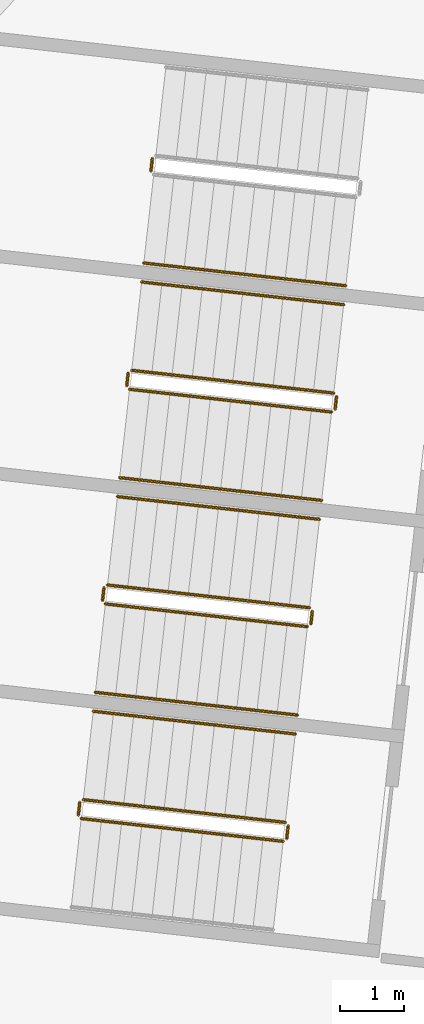
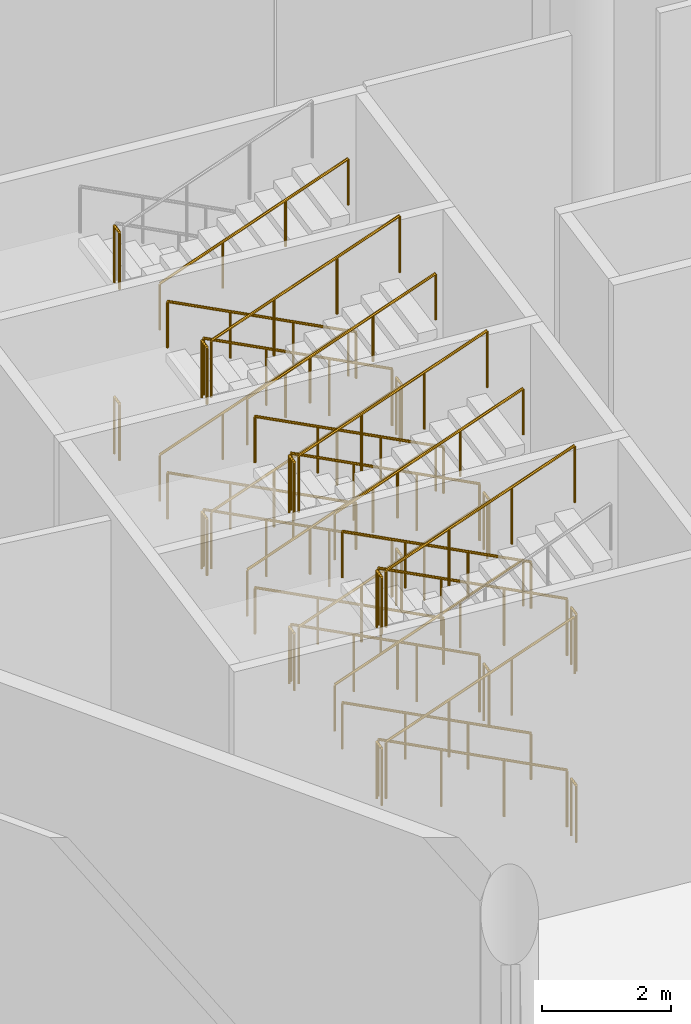
# One storey, part 226 of 255: 38 railings.
"""IFC4 building model written with IfcOpenShell, lengths in metres."""

from ifc_helpers import new_model, si_unit, direction, frame, origin, origin_2d, place, context, subcontext, project, spatial, circle, extrude, material, type_object, element, save


model = new_model("IFC4")

# Units and contexts
model_context = context("Model", 3, precision=1e-05, world=origin(), true_north=direction((0.0, 1.0)))
body_context = subcontext(model_context, "Body", "Model", "MODEL_VIEW")
ifc_project = project(units=[si_unit("LENGTHUNIT", "METRE"), si_unit("AREAUNIT", "SQUARE_METRE"), si_unit("VOLUMEUNIT", "CUBIC_METRE"), si_unit("PLANEANGLEUNIT", "RADIAN"), si_unit("MASSUNIT", "GRAM", prefix="KILO")], contexts=[model_context])

# Site, building, storey
site_placement = place(None, origin())
site = spatial("IfcSite", under=ifc_project, at=site_placement, CompositionType="ELEMENT")
building_placement = place(site_placement, origin())
building = spatial("IfcBuilding", under=site, at=building_placement, Name="Meseta Stadium", CompositionType="ELEMENT")
storey_placement = place(building_placement, origin())
storey = spatial("IfcBuildingStorey", under=building, at=storey_placement, Name="L00", CompositionType="ELEMENT", Elevation=0.0)

# Railings
ifc_material_1 = material(Name="Steel S355", Category="steel")
railing_type_1 = type_object("IfcRailingType", Name="Stair guard 1100", PredefinedType="GUARDRAIL", material=ifc_material_1)
for number, where, name in (
    (1, (-92.072509765625, 60.424072265625, 1.625), "ST57 L00 guard 2"),
    (2, (-92.072509765625, 60.424072265625, 4.875), "ST57 L00 guard 6"),
):
    element("IfcRailing", number, at=place(storey_placement, frame(where)), inside=storey, type_object=railing_type_1, Name=name, PredefinedType="GUARDRAIL", context=body_context, shape_type="SweptSolid", body=[
        extrude(circle(Radius=0.02392578125, at=origin_2d()), frame((0.0, 0.0, 1.076171875), z_axis=(-0.112307083986, -0.993673547442, 0.0), x_axis=(0.993673547442, -0.112307083986, 0.0)), (0.0, 0.0, 1.0), 0.199951171875),
        extrude(circle(Radius=0.02099609375, at=origin_2d()), origin(), (0.0, 0.0, 1.0), 1.052001953125),
        extrude(circle(Radius=0.02099609375, at=origin_2d()), frame((-0.0224609375, -0.19873046875, 0.0)), (0.0, 0.0, 1.0), 1.052001953125),
    ])
railing_1_placement = place(storey_placement, frame((-89.218017578125, 56.731201171875, 0.147705078125)))
element("IfcRailing", 3, at=railing_1_placement, inside=storey, type_object=railing_type_1, Name="ST58 L00 guard 1", PredefinedType="GUARDRAIL", context=body_context, shape_type="SweptSolid", body=[
    extrude(circle(Radius=0.02392578125, at=origin_2d()), frame((0.0, 0.0, 1.076171875), z_axis=(-0.902210289302, 0.10168481418, 0.419138154362), x_axis=(-0.111997244021, -0.993708517288, 0.0)), (0.0, 0.0, 1.0), 3.524658203125),
    extrude(circle(Radius=0.02099609375, at=origin_2d()), origin(), (0.0, 0.0, 1.0), 1.052001953125),
    extrude(circle(Radius=0.02099609375, at=origin_2d()), frame((-1.06005859375, 0.119384765625, 0.492431640625)), (0.0, 0.0, 1.0), 1.052001953125),
    extrude(circle(Radius=0.02099609375, at=origin_2d()), frame((-2.119873046875, 0.239013671875, 0.98486328125)), (0.0, 0.0, 1.0), 1.052001953125),
    extrude(circle(Radius=0.02099609375, at=origin_2d()), frame((-3.179931640625, 0.3583984375, 1.477294921875)), (0.0, 0.0, 1.0), 1.052001953125),
])
railing_2_placement = place(storey_placement, frame((-92.453369140625, 57.04541015625, 1.625)))
element("IfcRailing", 4, at=railing_2_placement, inside=storey, type_object=railing_type_1, Name="ST58 L00 guard 2", PredefinedType="GUARDRAIL", context=body_context, shape_type="SweptSolid", body=[
    extrude(circle(Radius=0.02392578125, at=origin_2d()), frame((0.0, 0.0, 1.076171875), z_axis=(-0.111101504696, -0.993809063983, 0.0), x_axis=(0.993809063983, -0.111101504696, 0.0)), (0.0, 0.0, 1.0), 0.199951171875),
    extrude(circle(Radius=0.02099609375, at=origin_2d()), origin(), (0.0, 0.0, 1.0), 1.052001953125),
    extrude(circle(Radius=0.02099609375, at=origin_2d()), frame((-0.022216796875, -0.19873046875, 0.0)), (0.0, 0.0, 1.0), 1.052001953125),
])
railing_3_placement = place(storey_placement, frame((-92.431640625, 56.79150390625, 1.772705078125)))
element("IfcRailing", 5, at=railing_3_placement, inside=storey, type_object=railing_type_1, Name="ST58 L00 guard 3", PredefinedType="GUARDRAIL", context=body_context, shape_type="SweptSolid", body=[
    extrude(circle(Radius=0.02392578125, at=origin_2d()), frame((0.0, 0.0, 1.076171875), z_axis=(0.902210289302, -0.10168481418, 0.419138154362), x_axis=(0.111997244021, 0.993708517288, 0.0)), (0.0, 0.0, 1.0), 3.524658203125),
    extrude(circle(Radius=0.02099609375, at=origin_2d()), origin(), (0.0, 0.0, 1.0), 1.052001953125),
    extrude(circle(Radius=0.02099609375, at=origin_2d()), frame((1.06005859375, -0.119384765625, 0.492431640625)), (0.0, 0.0, 1.0), 1.052001953125),
    extrude(circle(Radius=0.02099609375, at=origin_2d()), frame((2.119873046875, -0.239013671875, 0.98486328125)), (0.0, 0.0, 1.0), 1.052001953125),
    extrude(circle(Radius=0.02099609375, at=origin_2d()), frame((3.179931640625, -0.3583984375, 1.477294921875)), (0.0, 0.0, 1.0), 1.052001953125),
])
railing_4_placement = place(storey_placement, frame((-89.174072265625, 56.676025390625, 3.25)))
element("IfcRailing", 6, at=railing_4_placement, inside=storey, type_object=railing_type_1, Name="ST58 L00 guard 4", PredefinedType="GUARDRAIL", context=body_context, shape_type="SweptSolid", body=[
    extrude(circle(Radius=0.02392578125, at=origin_2d()), frame((0.0, 0.0, 1.076171875), z_axis=(-0.111101504696, -0.993809063983, 0.0), x_axis=(0.993809063983, -0.111101504696, 0.0)), (0.0, 0.0, 1.0), 0.199951171875),
    extrude(circle(Radius=0.02099609375, at=origin_2d()), origin(), (0.0, 0.0, 1.0), 1.052001953125),
    extrude(circle(Radius=0.02099609375, at=origin_2d()), frame((-0.022216796875, -0.19873046875, 0.0)), (0.0, 0.0, 1.0), 1.052001953125),
])
railing_5_placement = place(storey_placement, frame((-89.218017578125, 56.731201171875, 3.397705078125)))
element("IfcRailing", 7, at=railing_5_placement, inside=storey, type_object=railing_type_1, Name="ST58 L00 guard 5", PredefinedType="GUARDRAIL", context=body_context, shape_type="SweptSolid", body=[
    extrude(circle(Radius=0.02392578125, at=origin_2d()), frame((0.0, 0.0, 1.076171875), z_axis=(-0.902210289302, 0.10168481418, 0.419138154362), x_axis=(-0.111997244021, -0.993708517288, 0.0)), (0.0, 0.0, 1.0), 3.524658203125),
    extrude(circle(Radius=0.02099609375, at=origin_2d()), origin(), (0.0, 0.0, 1.0), 1.052001953125),
    extrude(circle(Radius=0.02099609375, at=origin_2d()), frame((-1.06005859375, 0.119384765625, 0.492431640625)), (0.0, 0.0, 1.0), 1.052001953125),
    extrude(circle(Radius=0.02099609375, at=origin_2d()), frame((-2.119873046875, 0.239013671875, 0.98486328125)), (0.0, 0.0, 1.0), 1.052001953125),
    extrude(circle(Radius=0.02099609375, at=origin_2d()), frame((-3.179931640625, 0.3583984375, 1.477294921875)), (0.0, 0.0, 1.0), 1.052001953125),
])
railing_6_placement = place(storey_placement, frame((-92.453369140625, 57.04541015625, 4.875)))
element("IfcRailing", 8, at=railing_6_placement, inside=storey, type_object=railing_type_1, Name="ST58 L00 guard 6", PredefinedType="GUARDRAIL", context=body_context, shape_type="SweptSolid", body=[
    extrude(circle(Radius=0.02392578125, at=origin_2d()), frame((0.0, 0.0, 1.076171875), z_axis=(-0.111101504696, -0.993809063983, 0.0), x_axis=(0.993809063983, -0.111101504696, 0.0)), (0.0, 0.0, 1.0), 0.199951171875),
    extrude(circle(Radius=0.02099609375, at=origin_2d()), origin(), (0.0, 0.0, 1.0), 1.052001953125),
    extrude(circle(Radius=0.02099609375, at=origin_2d()), frame((-0.022216796875, -0.19873046875, 0.0)), (0.0, 0.0, 1.0), 1.052001953125),
])
railing_7_placement = place(storey_placement, frame((-92.431640625, 56.79150390625, 5.022705078125)))
element("IfcRailing", 9, at=railing_7_placement, inside=storey, type_object=railing_type_1, Name="ST58 L00 guard 7", PredefinedType="GUARDRAIL", context=body_context, shape_type="SweptSolid", body=[
    extrude(circle(Radius=0.02392578125, at=origin_2d()), frame((0.0, 0.0, 1.076171875), z_axis=(0.902210289302, -0.10168481418, 0.419138154362), x_axis=(0.111997244021, 0.993708517288, 0.0)), (0.0, 0.0, 1.0), 3.524658203125),
    extrude(circle(Radius=0.02099609375, at=origin_2d()), origin(), (0.0, 0.0, 1.0), 1.052001953125),
    extrude(circle(Radius=0.02099609375, at=origin_2d()), frame((1.06005859375, -0.119384765625, 0.492431640625)), (0.0, 0.0, 1.0), 1.052001953125),
    extrude(circle(Radius=0.02099609375, at=origin_2d()), frame((2.119873046875, -0.239013671875, 0.98486328125)), (0.0, 0.0, 1.0), 1.052001953125),
    extrude(circle(Radius=0.02099609375, at=origin_2d()), frame((3.179931640625, -0.3583984375, 1.477294921875)), (0.0, 0.0, 1.0), 1.052001953125),
])
railing_8_placement = place(storey_placement, frame((-89.174072265625, 56.676025390625, 0.0)))
element("IfcRailing", 10, at=railing_8_placement, inside=storey, type_object=railing_type_1, Name="ST58 L00 guard 8", PredefinedType="GUARDRAIL", context=body_context, shape_type="SweptSolid", body=[
    extrude(circle(Radius=0.02392578125, at=origin_2d()), frame((0.0, 0.0, 1.076171875), z_axis=(-0.111101504696, -0.993809063983, 0.0), x_axis=(0.993809063983, -0.111101504696, 0.0)), (0.0, 0.0, 1.0), 0.199951171875),
    extrude(circle(Radius=0.02099609375, at=origin_2d()), origin(), (0.0, 0.0, 1.0), 1.052001953125),
    extrude(circle(Radius=0.02099609375, at=origin_2d()), frame((-0.022216796875, -0.19873046875, 0.0)), (0.0, 0.0, 1.0), 1.052001953125),
])
railing_9_placement = place(storey_placement, frame((-89.598876953125, 53.3525390625, 0.147705078125)))
element("IfcRailing", 11, at=railing_9_placement, inside=storey, type_object=railing_type_1, Name="ST59 L00 guard 1", PredefinedType="GUARDRAIL", context=body_context, shape_type="SweptSolid", body=[
    extrude(circle(Radius=0.02392578125, at=origin_2d()), frame((0.0, 0.0, 1.076171875), z_axis=(-0.902197403174, 0.101691169215, 0.419164349402), x_axis=(-0.112005735442, -0.993707560215, 0.0)), (0.0, 0.0, 1.0), 3.5244140625),
    extrude(circle(Radius=0.02099609375, at=origin_2d()), origin(), (0.0, 0.0, 1.0), 1.052001953125),
    extrude(circle(Radius=0.02099609375, at=origin_2d()), frame((-1.059814453125, 0.119384765625, 0.492431640625)), (0.0, 0.0, 1.0), 1.052001953125),
    extrude(circle(Radius=0.02099609375, at=origin_2d()), frame((-2.119873046875, 0.239013671875, 0.98486328125)), (0.0, 0.0, 1.0), 1.052001953125),
    extrude(circle(Radius=0.02099609375, at=origin_2d()), frame((-3.1796875, 0.3583984375, 1.477294921875)), (0.0, 0.0, 1.0), 1.052001953125),
])
railing_10_placement = place(storey_placement, frame((-92.833984375, 53.666748046875, 1.625)))
element("IfcRailing", 12, at=railing_10_placement, inside=storey, type_object=railing_type_1, Name="ST59 L00 guard 2", PredefinedType="GUARDRAIL", context=body_context, shape_type="SweptSolid", body=[
    extrude(circle(Radius=0.02392578125, at=origin_2d()), frame((0.0, 0.0, 1.076171875), z_axis=(-0.112307083986, -0.993673547442, 0.0), x_axis=(0.993673547442, -0.112307083986, 0.0)), (0.0, 0.0, 1.0), 0.199951171875),
    extrude(circle(Radius=0.02099609375, at=origin_2d()), origin(), (0.0, 0.0, 1.0), 1.052001953125),
    extrude(circle(Radius=0.02099609375, at=origin_2d()), frame((-0.0224609375, -0.19873046875, 0.0)), (0.0, 0.0, 1.0), 1.052001953125),
])
railing_11_placement = place(storey_placement, frame((-92.812255859375, 53.412841796875, 1.772705078125)))
element("IfcRailing", 13, at=railing_11_placement, inside=storey, type_object=railing_type_1, Name="ST59 L00 guard 3", PredefinedType="GUARDRAIL", context=body_context, shape_type="SweptSolid", body=[
    extrude(circle(Radius=0.02392578125, at=origin_2d()), frame((0.0, 0.0, 1.076171875), z_axis=(0.902210289302, -0.10168481418, 0.419138154362), x_axis=(0.111997244021, 0.993708517288, 0.0)), (0.0, 0.0, 1.0), 3.524658203125),
    extrude(circle(Radius=0.02099609375, at=origin_2d()), origin(), (0.0, 0.0, 1.0), 1.052001953125),
    extrude(circle(Radius=0.02099609375, at=origin_2d()), frame((1.06005859375, -0.119384765625, 0.492431640625)), (0.0, 0.0, 1.0), 1.052001953125),
    extrude(circle(Radius=0.02099609375, at=origin_2d()), frame((2.119873046875, -0.239013671875, 0.98486328125)), (0.0, 0.0, 1.0), 1.052001953125),
    extrude(circle(Radius=0.02099609375, at=origin_2d()), frame((3.179931640625, -0.3583984375, 1.477294921875)), (0.0, 0.0, 1.0), 1.052001953125),
])
railing_12_placement = place(storey_placement, frame((-89.5546875, 53.29736328125, 3.25)))
element("IfcRailing", 14, at=railing_12_placement, inside=storey, type_object=railing_type_1, Name="ST59 L00 guard 4", PredefinedType="GUARDRAIL", context=body_context, shape_type="SweptSolid", body=[
    extrude(circle(Radius=0.02392578125, at=origin_2d()), frame((0.0, 0.0, 1.076171875), z_axis=(-0.112307083986, -0.993673547442, 0.0), x_axis=(0.993673547442, -0.112307083986, 0.0)), (0.0, 0.0, 1.0), 0.199951171875),
    extrude(circle(Radius=0.02099609375, at=origin_2d()), origin(), (0.0, 0.0, 1.0), 1.052001953125),
    extrude(circle(Radius=0.02099609375, at=origin_2d()), frame((-0.0224609375, -0.19873046875, 0.0)), (0.0, 0.0, 1.0), 1.052001953125),
])
railing_13_placement = place(storey_placement, frame((-89.598876953125, 53.3525390625, 3.397705078125)))
element("IfcRailing", 15, at=railing_13_placement, inside=storey, type_object=railing_type_1, Name="ST59 L00 guard 5", PredefinedType="GUARDRAIL", context=body_context, shape_type="SweptSolid", body=[
    extrude(circle(Radius=0.02392578125, at=origin_2d()), frame((0.0, 0.0, 1.076171875), z_axis=(-0.902197403174, 0.101691169215, 0.419164349402), x_axis=(-0.112005735442, -0.993707560215, 0.0)), (0.0, 0.0, 1.0), 3.5244140625),
    extrude(circle(Radius=0.02099609375, at=origin_2d()), origin(), (0.0, 0.0, 1.0), 1.052001953125),
    extrude(circle(Radius=0.02099609375, at=origin_2d()), frame((-1.059814453125, 0.119384765625, 0.492431640625)), (0.0, 0.0, 1.0), 1.052001953125),
    extrude(circle(Radius=0.02099609375, at=origin_2d()), frame((-2.119873046875, 0.239013671875, 0.98486328125)), (0.0, 0.0, 1.0), 1.052001953125),
    extrude(circle(Radius=0.02099609375, at=origin_2d()), frame((-3.1796875, 0.3583984375, 1.477294921875)), (0.0, 0.0, 1.0), 1.052001953125),
])
railing_14_placement = place(storey_placement, frame((-92.833984375, 53.666748046875, 4.875)))
element("IfcRailing", 16, at=railing_14_placement, inside=storey, type_object=railing_type_1, Name="ST59 L00 guard 6", PredefinedType="GUARDRAIL", context=body_context, shape_type="SweptSolid", body=[
    extrude(circle(Radius=0.02392578125, at=origin_2d()), frame((0.0, 0.0, 1.076171875), z_axis=(-0.112307083986, -0.993673547442, 0.0), x_axis=(0.993673547442, -0.112307083986, 0.0)), (0.0, 0.0, 1.0), 0.199951171875),
    extrude(circle(Radius=0.02099609375, at=origin_2d()), origin(), (0.0, 0.0, 1.0), 1.052001953125),
    extrude(circle(Radius=0.02099609375, at=origin_2d()), frame((-0.0224609375, -0.19873046875, 0.0)), (0.0, 0.0, 1.0), 1.052001953125),
])
railing_15_placement = place(storey_placement, frame((-92.812255859375, 53.412841796875, 5.022705078125)))
element("IfcRailing", 17, at=railing_15_placement, inside=storey, type_object=railing_type_1, Name="ST59 L00 guard 7", PredefinedType="GUARDRAIL", context=body_context, shape_type="SweptSolid", body=[
    extrude(circle(Radius=0.02392578125, at=origin_2d()), frame((0.0, 0.0, 1.076171875), z_axis=(0.902210289302, -0.10168481418, 0.419138154362), x_axis=(0.111997244021, 0.993708517288, 0.0)), (0.0, 0.0, 1.0), 3.524658203125),
    extrude(circle(Radius=0.02099609375, at=origin_2d()), origin(), (0.0, 0.0, 1.0), 1.052001953125),
    extrude(circle(Radius=0.02099609375, at=origin_2d()), frame((1.06005859375, -0.119384765625, 0.492431640625)), (0.0, 0.0, 1.0), 1.052001953125),
    extrude(circle(Radius=0.02099609375, at=origin_2d()), frame((2.119873046875, -0.239013671875, 0.98486328125)), (0.0, 0.0, 1.0), 1.052001953125),
    extrude(circle(Radius=0.02099609375, at=origin_2d()), frame((3.179931640625, -0.3583984375, 1.477294921875)), (0.0, 0.0, 1.0), 1.052001953125),
])
railing_16_placement = place(storey_placement, frame((-89.5546875, 53.29736328125, 0.0)))
element("IfcRailing", 18, at=railing_16_placement, inside=storey, type_object=railing_type_1, Name="ST59 L00 guard 8", PredefinedType="GUARDRAIL", context=body_context, shape_type="SweptSolid", body=[
    extrude(circle(Radius=0.02392578125, at=origin_2d()), frame((0.0, 0.0, 1.076171875), z_axis=(-0.112307083986, -0.993673547442, 0.0), x_axis=(0.993673547442, -0.112307083986, 0.0)), (0.0, 0.0, 1.0), 0.199951171875),
    extrude(circle(Radius=0.02099609375, at=origin_2d()), origin(), (0.0, 0.0, 1.0), 1.052001953125),
    extrude(circle(Radius=0.02099609375, at=origin_2d()), frame((-0.0224609375, -0.19873046875, 0.0)), (0.0, 0.0, 1.0), 1.052001953125),
])
railing_17_placement = place(storey_placement, frame((-89.9794921875, 49.973876953125, 0.147705078125)))
element("IfcRailing", 19, at=railing_17_placement, inside=storey, type_object=railing_type_1, Name="ST60 L00 guard 1", PredefinedType="GUARDRAIL", context=body_context, shape_type="SweptSolid", body=[
    extrude(circle(Radius=0.02392578125, at=origin_2d()), frame((0.0, 0.0, 1.076171875), z_axis=(-0.902210289302, 0.10168481418, 0.419138154362), x_axis=(-0.111997244021, -0.993708517288, 0.0)), (0.0, 0.0, 1.0), 3.524658203125),
    extrude(circle(Radius=0.02099609375, at=origin_2d()), origin(), (0.0, 0.0, 1.0), 1.052001953125),
    extrude(circle(Radius=0.02099609375, at=origin_2d()), frame((-1.06005859375, 0.119384765625, 0.492431640625)), (0.0, 0.0, 1.0), 1.052001953125),
    extrude(circle(Radius=0.02099609375, at=origin_2d()), frame((-2.119873046875, 0.239013671875, 0.98486328125)), (0.0, 0.0, 1.0), 1.052001953125),
    extrude(circle(Radius=0.02099609375, at=origin_2d()), frame((-3.179931640625, 0.3583984375, 1.477294921875)), (0.0, 0.0, 1.0), 1.052001953125),
])
railing_18_placement = place(storey_placement, frame((-93.214599609375, 50.2880859375, 1.625)))
element("IfcRailing", 20, at=railing_18_placement, inside=storey, type_object=railing_type_1, Name="ST60 L00 guard 2", PredefinedType="GUARDRAIL", context=body_context, shape_type="SweptSolid", body=[
    extrude(circle(Radius=0.02392578125, at=origin_2d()), frame((0.0, 0.0, 1.076171875), z_axis=(-0.112307083986, -0.993673547442, 0.0), x_axis=(0.993673547442, -0.112307083986, 0.0)), (0.0, 0.0, 1.0), 0.199951171875),
    extrude(circle(Radius=0.02099609375, at=origin_2d()), origin(), (0.0, 0.0, 1.0), 1.052001953125),
    extrude(circle(Radius=0.02099609375, at=origin_2d()), frame((-0.0224609375, -0.19873046875, 0.0)), (0.0, 0.0, 1.0), 1.052001953125),
])
railing_19_placement = place(storey_placement, frame((-93.19287109375, 50.0341796875, 1.772705078125)))
element("IfcRailing", 21, at=railing_19_placement, inside=storey, type_object=railing_type_1, Name="ST60 L00 guard 3", PredefinedType="GUARDRAIL", context=body_context, shape_type="SweptSolid", body=[
    extrude(circle(Radius=0.02392578125, at=origin_2d()), frame((0.0, 0.0, 1.076171875), z_axis=(0.902210289302, -0.10168481418, 0.419138154362), x_axis=(0.111997244021, 0.993708517288, 0.0)), (0.0, 0.0, 1.0), 3.524658203125),
    extrude(circle(Radius=0.02099609375, at=origin_2d()), origin(), (0.0, 0.0, 1.0), 1.052001953125),
    extrude(circle(Radius=0.02099609375, at=origin_2d()), frame((1.06005859375, -0.119384765625, 0.492431640625)), (0.0, 0.0, 1.0), 1.052001953125),
    extrude(circle(Radius=0.02099609375, at=origin_2d()), frame((2.119873046875, -0.239013671875, 0.98486328125)), (0.0, 0.0, 1.0), 1.052001953125),
    extrude(circle(Radius=0.02099609375, at=origin_2d()), frame((3.179931640625, -0.3583984375, 1.477294921875)), (0.0, 0.0, 1.0), 1.052001953125),
])
railing_20_placement = place(storey_placement, frame((-89.935302734375, 49.918701171875, 3.25)))
element("IfcRailing", 22, at=railing_20_placement, inside=storey, type_object=railing_type_1, Name="ST60 L00 guard 4", PredefinedType="GUARDRAIL", context=body_context, shape_type="SweptSolid", body=[
    extrude(circle(Radius=0.02392578125, at=origin_2d()), frame((0.0, 0.0, 1.076171875), z_axis=(-0.112307083986, -0.993673547442, 0.0), x_axis=(0.993673547442, -0.112307083986, 0.0)), (0.0, 0.0, 1.0), 0.199951171875),
    extrude(circle(Radius=0.02099609375, at=origin_2d()), origin(), (0.0, 0.0, 1.0), 1.052001953125),
    extrude(circle(Radius=0.02099609375, at=origin_2d()), frame((-0.0224609375, -0.19873046875, 0.0)), (0.0, 0.0, 1.0), 1.052001953125),
])
railing_21_placement = place(storey_placement, frame((-89.9794921875, 49.973876953125, 3.397705078125)))
element("IfcRailing", 23, at=railing_21_placement, inside=storey, type_object=railing_type_1, Name="ST60 L00 guard 5", PredefinedType="GUARDRAIL", context=body_context, shape_type="SweptSolid", body=[
    extrude(circle(Radius=0.02392578125, at=origin_2d()), frame((0.0, 0.0, 1.076171875), z_axis=(-0.902210289302, 0.10168481418, 0.419138154362), x_axis=(-0.111997244021, -0.993708517288, 0.0)), (0.0, 0.0, 1.0), 3.524658203125),
    extrude(circle(Radius=0.02099609375, at=origin_2d()), origin(), (0.0, 0.0, 1.0), 1.052001953125),
    extrude(circle(Radius=0.02099609375, at=origin_2d()), frame((-1.06005859375, 0.119384765625, 0.492431640625)), (0.0, 0.0, 1.0), 1.052001953125),
    extrude(circle(Radius=0.02099609375, at=origin_2d()), frame((-2.119873046875, 0.239013671875, 0.98486328125)), (0.0, 0.0, 1.0), 1.052001953125),
    extrude(circle(Radius=0.02099609375, at=origin_2d()), frame((-3.179931640625, 0.3583984375, 1.477294921875)), (0.0, 0.0, 1.0), 1.052001953125),
])
railing_22_placement = place(storey_placement, frame((-93.214599609375, 50.2880859375, 4.875)))
element("IfcRailing", 24, at=railing_22_placement, inside=storey, type_object=railing_type_1, Name="ST60 L00 guard 6", PredefinedType="GUARDRAIL", context=body_context, shape_type="SweptSolid", body=[
    extrude(circle(Radius=0.02392578125, at=origin_2d()), frame((0.0, 0.0, 1.076171875), z_axis=(-0.112307083986, -0.993673547442, 0.0), x_axis=(0.993673547442, -0.112307083986, 0.0)), (0.0, 0.0, 1.0), 0.199951171875),
    extrude(circle(Radius=0.02099609375, at=origin_2d()), origin(), (0.0, 0.0, 1.0), 1.052001953125),
    extrude(circle(Radius=0.02099609375, at=origin_2d()), frame((-0.0224609375, -0.19873046875, 0.0)), (0.0, 0.0, 1.0), 1.052001953125),
])
railing_23_placement = place(storey_placement, frame((-93.19287109375, 50.0341796875, 5.022705078125)))
element("IfcRailing", 25, at=railing_23_placement, inside=storey, type_object=railing_type_1, Name="ST60 L00 guard 7", PredefinedType="GUARDRAIL", context=body_context, shape_type="SweptSolid", body=[
    extrude(circle(Radius=0.02392578125, at=origin_2d()), frame((0.0, 0.0, 1.076171875), z_axis=(0.902210289302, -0.10168481418, 0.419138154362), x_axis=(0.111997244021, 0.993708517288, 0.0)), (0.0, 0.0, 1.0), 3.524658203125),
    extrude(circle(Radius=0.02099609375, at=origin_2d()), origin(), (0.0, 0.0, 1.0), 1.052001953125),
    extrude(circle(Radius=0.02099609375, at=origin_2d()), frame((1.06005859375, -0.119384765625, 0.492431640625)), (0.0, 0.0, 1.0), 1.052001953125),
    extrude(circle(Radius=0.02099609375, at=origin_2d()), frame((2.119873046875, -0.239013671875, 0.98486328125)), (0.0, 0.0, 1.0), 1.052001953125),
    extrude(circle(Radius=0.02099609375, at=origin_2d()), frame((3.179931640625, -0.3583984375, 1.477294921875)), (0.0, 0.0, 1.0), 1.052001953125),
])
railing_24_placement = place(storey_placement, frame((-89.935302734375, 49.918701171875, 0.0)))
element("IfcRailing", 26, at=railing_24_placement, inside=storey, type_object=railing_type_1, Name="ST60 L00 guard 8", PredefinedType="GUARDRAIL", context=body_context, shape_type="SweptSolid", body=[
    extrude(circle(Radius=0.02392578125, at=origin_2d()), frame((0.0, 0.0, 1.076171875), z_axis=(-0.112307083986, -0.993673547442, 0.0), x_axis=(0.993673547442, -0.112307083986, 0.0)), (0.0, 0.0, 1.0), 0.199951171875),
    extrude(circle(Radius=0.02099609375, at=origin_2d()), origin(), (0.0, 0.0, 1.0), 1.052001953125),
    extrude(circle(Radius=0.02099609375, at=origin_2d()), frame((-0.0224609375, -0.19873046875, 0.0)), (0.0, 0.0, 1.0), 1.052001953125),
])
ifc_material_2 = material(Name="Steel S355", Category="steel")
railing_type_2 = type_object("IfcRailingType", Name="Stair handrail 900", PredefinedType="HANDRAIL", material=ifc_material_2)
for number, where, name in (
    (27, (-92.20751953125, 58.77880859375, 1.772705078125), "ST57 L00 handrail 2"),
    (28, (-92.20751953125, 58.77880859375, 5.022705078125), "ST57 L00 handrail 4"),
):
    element("IfcRailing", number, at=place(storey_placement, frame(where)), inside=storey, type_object=railing_type_2, Name=name, PredefinedType="HANDRAIL", context=body_context, shape_type="SweptSolid", body=[
        extrude(circle(Radius=0.02392578125, at=origin_2d()), frame((0.0, 0.0, 0.8759765625), z_axis=(0.902197403174, -0.101691169215, 0.419164349402), x_axis=(0.112005735442, 0.993707560215, 0.0)), (0.0, 0.0, 1.0), 3.5244140625),
        extrude(circle(Radius=0.02099609375, at=origin_2d()), origin(), (0.0, 0.0, 1.0), 0.851806640625),
        extrude(circle(Radius=0.02099609375, at=origin_2d()), frame((1.059814453125, -0.119384765625, 0.492431640625)), (0.0, 0.0, 1.0), 0.851806640625),
        extrude(circle(Radius=0.02099609375, at=origin_2d()), frame((2.119873046875, -0.239013671875, 0.98486328125)), (0.0, 0.0, 1.0), 0.851806640625),
        extrude(circle(Radius=0.02099609375, at=origin_2d()), frame((3.1796875, -0.3583984375, 1.477294921875)), (0.0, 0.0, 1.0), 0.851806640625),
    ])
railing_25_placement = place(storey_placement, frame((-89.061279296875, 58.122314453125, 0.147705078125)))
element("IfcRailing", 29, at=railing_25_placement, inside=storey, type_object=railing_type_2, Name="ST58 L00 handrail 1", PredefinedType="HANDRAIL", context=body_context, shape_type="SweptSolid", body=[
    extrude(circle(Radius=0.02392578125, at=origin_2d()), frame((0.0, 0.0, 0.8759765625), z_axis=(-0.902210289302, 0.10168481418, 0.419138154362), x_axis=(-0.111997244021, -0.993708517288, 0.0)), (0.0, 0.0, 1.0), 3.524658203125),
    extrude(circle(Radius=0.02099609375, at=origin_2d()), origin(), (0.0, 0.0, 1.0), 0.851806640625),
    extrude(circle(Radius=0.02099609375, at=origin_2d()), frame((-1.06005859375, 0.119384765625, 0.492431640625)), (0.0, 0.0, 1.0), 0.851806640625),
    extrude(circle(Radius=0.02099609375, at=origin_2d()), frame((-2.119873046875, 0.239013671875, 0.98486328125)), (0.0, 0.0, 1.0), 0.851806640625),
    extrude(circle(Radius=0.02099609375, at=origin_2d()), frame((-3.179931640625, 0.3583984375, 1.477294921875)), (0.0, 0.0, 1.0), 0.851806640625),
])
railing_26_placement = place(storey_placement, frame((-92.58837890625, 55.400146484375, 1.772705078125)))
element("IfcRailing", 30, at=railing_26_placement, inside=storey, type_object=railing_type_2, Name="ST58 L00 handrail 2", PredefinedType="HANDRAIL", context=body_context, shape_type="SweptSolid", body=[
    extrude(circle(Radius=0.02392578125, at=origin_2d()), frame((0.0, 0.0, 0.8759765625), z_axis=(0.902216641888, -0.101616262084, 0.419141105571), x_axis=(0.11192190762, 0.993717005286, 0.0)), (0.0, 0.0, 1.0), 3.524658203125),
    extrude(circle(Radius=0.02099609375, at=origin_2d()), origin(), (0.0, 0.0, 1.0), 0.851806640625),
    extrude(circle(Radius=0.02099609375, at=origin_2d()), frame((1.06005859375, -0.119384765625, 0.492431640625)), (0.0, 0.0, 1.0), 0.851806640625),
    extrude(circle(Radius=0.02099609375, at=origin_2d()), frame((2.119873046875, -0.23876953125, 0.98486328125)), (0.0, 0.0, 1.0), 0.851806640625),
    extrude(circle(Radius=0.02099609375, at=origin_2d()), frame((3.179931640625, -0.358154296875, 1.477294921875)), (0.0, 0.0, 1.0), 0.851806640625),
])
railing_27_placement = place(storey_placement, frame((-89.061279296875, 58.122314453125, 3.397705078125)))
element("IfcRailing", 31, at=railing_27_placement, inside=storey, type_object=railing_type_2, Name="ST58 L00 handrail 3", PredefinedType="HANDRAIL", context=body_context, shape_type="SweptSolid", body=[
    extrude(circle(Radius=0.02392578125, at=origin_2d()), frame((0.0, 0.0, 0.8759765625), z_axis=(-0.902210289302, 0.10168481418, 0.419138154362), x_axis=(-0.111997244021, -0.993708517288, 0.0)), (0.0, 0.0, 1.0), 3.524658203125),
    extrude(circle(Radius=0.02099609375, at=origin_2d()), origin(), (0.0, 0.0, 1.0), 0.851806640625),
    extrude(circle(Radius=0.02099609375, at=origin_2d()), frame((-1.06005859375, 0.119384765625, 0.492431640625)), (0.0, 0.0, 1.0), 0.851806640625),
    extrude(circle(Radius=0.02099609375, at=origin_2d()), frame((-2.119873046875, 0.239013671875, 0.98486328125)), (0.0, 0.0, 1.0), 0.851806640625),
    extrude(circle(Radius=0.02099609375, at=origin_2d()), frame((-3.179931640625, 0.3583984375, 1.477294921875)), (0.0, 0.0, 1.0), 0.851806640625),
])
railing_28_placement = place(storey_placement, frame((-92.58837890625, 55.400146484375, 5.022705078125)))
element("IfcRailing", 32, at=railing_28_placement, inside=storey, type_object=railing_type_2, Name="ST58 L00 handrail 4", PredefinedType="HANDRAIL", context=body_context, shape_type="SweptSolid", body=[
    extrude(circle(Radius=0.02392578125, at=origin_2d()), frame((0.0, 0.0, 0.8759765625), z_axis=(0.902216641888, -0.101616262084, 0.419141105571), x_axis=(0.11192190762, 0.993717005286, 0.0)), (0.0, 0.0, 1.0), 3.524658203125),
    extrude(circle(Radius=0.02099609375, at=origin_2d()), origin(), (0.0, 0.0, 1.0), 0.851806640625),
    extrude(circle(Radius=0.02099609375, at=origin_2d()), frame((1.06005859375, -0.119384765625, 0.492431640625)), (0.0, 0.0, 1.0), 0.851806640625),
    extrude(circle(Radius=0.02099609375, at=origin_2d()), frame((2.119873046875, -0.23876953125, 0.98486328125)), (0.0, 0.0, 1.0), 0.851806640625),
    extrude(circle(Radius=0.02099609375, at=origin_2d()), frame((3.179931640625, -0.358154296875, 1.477294921875)), (0.0, 0.0, 1.0), 0.851806640625),
])
railing_29_placement = place(storey_placement, frame((-89.442138671875, 54.743896484375, 0.147705078125)))
element("IfcRailing", 33, at=railing_29_placement, inside=storey, type_object=railing_type_2, Name="ST59 L00 handrail 1", PredefinedType="HANDRAIL", context=body_context, shape_type="SweptSolid", body=[
    extrude(circle(Radius=0.02392578125, at=origin_2d()), frame((0.0, 0.0, 0.8759765625), z_axis=(-0.902203756464, 0.101622612925, 0.419167301164), x_axis=(-0.111930393474, -0.993716049491, 0.0)), (0.0, 0.0, 1.0), 3.5244140625),
    extrude(circle(Radius=0.02099609375, at=origin_2d()), origin(), (0.0, 0.0, 1.0), 0.851806640625),
    extrude(circle(Radius=0.02099609375, at=origin_2d()), frame((-1.059814453125, 0.119384765625, 0.492431640625)), (0.0, 0.0, 1.0), 0.851806640625),
    extrude(circle(Radius=0.02099609375, at=origin_2d()), frame((-2.119873046875, 0.23876953125, 0.98486328125)), (0.0, 0.0, 1.0), 0.851806640625),
    extrude(circle(Radius=0.02099609375, at=origin_2d()), frame((-3.1796875, 0.358154296875, 1.477294921875)), (0.0, 0.0, 1.0), 0.851806640625),
])
railing_30_placement = place(storey_placement, frame((-92.968994140625, 52.021484375, 1.772705078125)))
element("IfcRailing", 34, at=railing_30_placement, inside=storey, type_object=railing_type_2, Name="ST59 L00 handrail 2", PredefinedType="HANDRAIL", context=body_context, shape_type="SweptSolid", body=[
    extrude(circle(Radius=0.02392578125, at=origin_2d()), frame((0.0, 0.0, 0.8759765625), z_axis=(0.902216641888, -0.101616262084, 0.419141105571), x_axis=(0.11192190762, 0.993717005286, 0.0)), (0.0, 0.0, 1.0), 3.524658203125),
    extrude(circle(Radius=0.02099609375, at=origin_2d()), origin(), (0.0, 0.0, 1.0), 0.851806640625),
    extrude(circle(Radius=0.02099609375, at=origin_2d()), frame((1.06005859375, -0.119384765625, 0.492431640625)), (0.0, 0.0, 1.0), 0.851806640625),
    extrude(circle(Radius=0.02099609375, at=origin_2d()), frame((2.119873046875, -0.23876953125, 0.98486328125)), (0.0, 0.0, 1.0), 0.851806640625),
    extrude(circle(Radius=0.02099609375, at=origin_2d()), frame((3.179931640625, -0.358154296875, 1.477294921875)), (0.0, 0.0, 1.0), 0.851806640625),
])
railing_31_placement = place(storey_placement, frame((-89.442138671875, 54.743896484375, 3.397705078125)))
element("IfcRailing", 35, at=railing_31_placement, inside=storey, type_object=railing_type_2, Name="ST59 L00 handrail 3", PredefinedType="HANDRAIL", context=body_context, shape_type="SweptSolid", body=[
    extrude(circle(Radius=0.02392578125, at=origin_2d()), frame((0.0, 0.0, 0.8759765625), z_axis=(-0.902203756464, 0.101622612925, 0.419167301164), x_axis=(-0.111930393474, -0.993716049491, 0.0)), (0.0, 0.0, 1.0), 3.5244140625),
    extrude(circle(Radius=0.02099609375, at=origin_2d()), origin(), (0.0, 0.0, 1.0), 0.851806640625),
    extrude(circle(Radius=0.02099609375, at=origin_2d()), frame((-1.059814453125, 0.119384765625, 0.492431640625)), (0.0, 0.0, 1.0), 0.851806640625),
    extrude(circle(Radius=0.02099609375, at=origin_2d()), frame((-2.119873046875, 0.23876953125, 0.98486328125)), (0.0, 0.0, 1.0), 0.851806640625),
    extrude(circle(Radius=0.02099609375, at=origin_2d()), frame((-3.1796875, 0.358154296875, 1.477294921875)), (0.0, 0.0, 1.0), 0.851806640625),
])
railing_32_placement = place(storey_placement, frame((-92.968994140625, 52.021484375, 5.022705078125)))
element("IfcRailing", 36, at=railing_32_placement, inside=storey, type_object=railing_type_2, Name="ST59 L00 handrail 4", PredefinedType="HANDRAIL", context=body_context, shape_type="SweptSolid", body=[
    extrude(circle(Radius=0.02392578125, at=origin_2d()), frame((0.0, 0.0, 0.8759765625), z_axis=(0.902216641888, -0.101616262084, 0.419141105571), x_axis=(0.11192190762, 0.993717005286, 0.0)), (0.0, 0.0, 1.0), 3.524658203125),
    extrude(circle(Radius=0.02099609375, at=origin_2d()), origin(), (0.0, 0.0, 1.0), 0.851806640625),
    extrude(circle(Radius=0.02099609375, at=origin_2d()), frame((1.06005859375, -0.119384765625, 0.492431640625)), (0.0, 0.0, 1.0), 0.851806640625),
    extrude(circle(Radius=0.02099609375, at=origin_2d()), frame((2.119873046875, -0.23876953125, 0.98486328125)), (0.0, 0.0, 1.0), 0.851806640625),
    extrude(circle(Radius=0.02099609375, at=origin_2d()), frame((3.179931640625, -0.358154296875, 1.477294921875)), (0.0, 0.0, 1.0), 0.851806640625),
])
for number, where, name in (
    (37, (-89.82275390625, 51.365234375, 0.147705078125), "ST60 L00 handrail 1"),
    (38, (-89.82275390625, 51.365234375, 3.397705078125), "ST60 L00 handrail 3"),
):
    element("IfcRailing", number, at=place(storey_placement, frame(where)), inside=storey, type_object=railing_type_2, Name=name, PredefinedType="HANDRAIL", context=body_context, shape_type="SweptSolid", body=[
        extrude(circle(Radius=0.02392578125, at=origin_2d()), frame((0.0, 0.0, 0.8759765625), z_axis=(-0.902216641888, 0.101616262084, 0.419141105571), x_axis=(-0.11192190762, -0.993717005286, 0.0)), (0.0, 0.0, 1.0), 3.524658203125),
        extrude(circle(Radius=0.02099609375, at=origin_2d()), origin(), (0.0, 0.0, 1.0), 0.851806640625),
        extrude(circle(Radius=0.02099609375, at=origin_2d()), frame((-1.06005859375, 0.119384765625, 0.492431640625)), (0.0, 0.0, 1.0), 0.851806640625),
        extrude(circle(Radius=0.02099609375, at=origin_2d()), frame((-2.119873046875, 0.23876953125, 0.98486328125)), (0.0, 0.0, 1.0), 0.851806640625),
        extrude(circle(Radius=0.02099609375, at=origin_2d()), frame((-3.179931640625, 0.358154296875, 1.477294921875)), (0.0, 0.0, 1.0), 0.851806640625),
    ])

save(model, "model.ifc")
